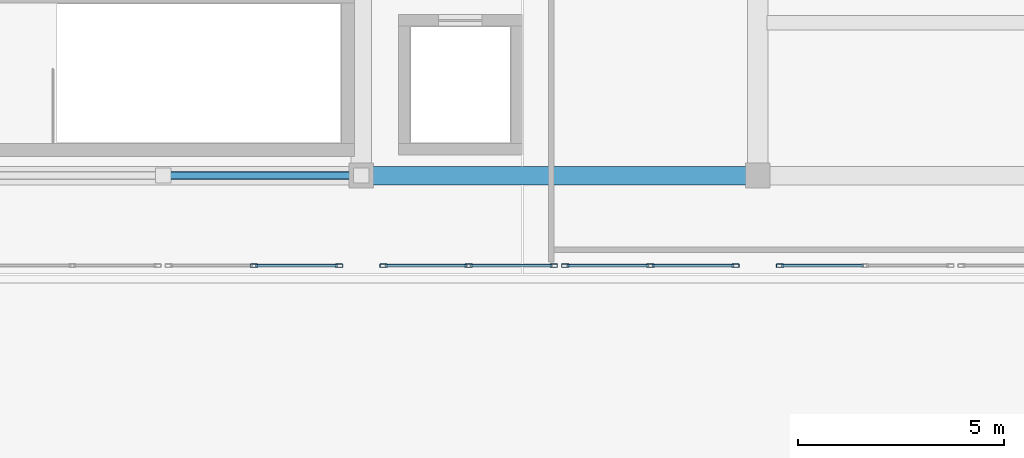
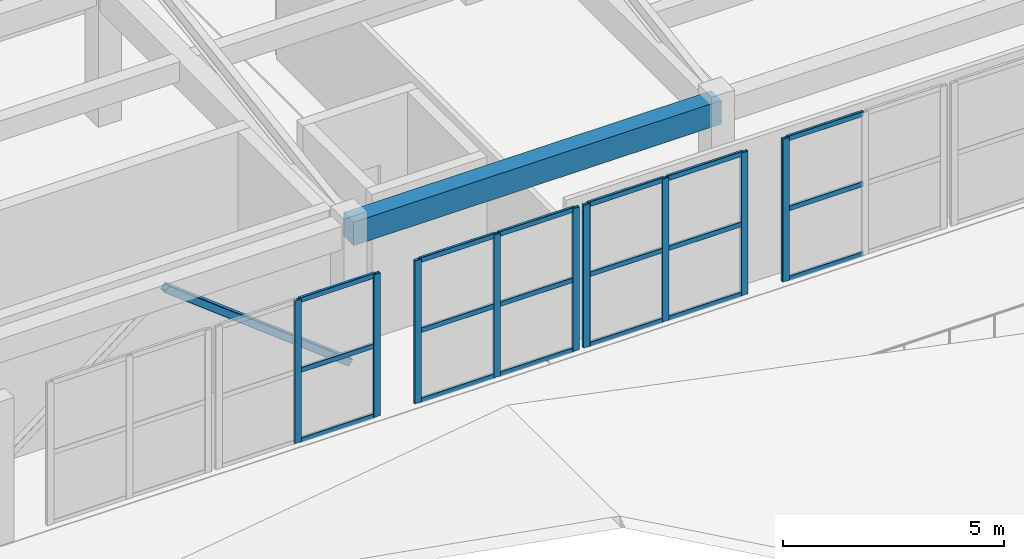
# One storey, part 4 of 29: 28 members, 1 beam, 4 elements without a shape of their own.
"""IFC4 building model written with IfcOpenShell, lengths in metres."""

from ifc_helpers import new_model, si_unit, direction, frame, origin, origin_2d, place, context, subcontext, project, spatial, rectangle, hollow_rectangle, extrude, material, layer, layer_set, material_profile, profile_set, type_object, element, aggregate, save


model = new_model("IFC4")

# Units and contexts
model_context = context("Model", 3, precision=1e-05, world=origin(), true_north=direction((0.0, 1.0)))
body_context = subcontext(model_context, "Body", "Model", "MODEL_VIEW")
ifc_project = project(units=[si_unit("LENGTHUNIT", "METRE"), si_unit("AREAUNIT", "SQUARE_METRE"), si_unit("VOLUMEUNIT", "CUBIC_METRE"), si_unit("PLANEANGLEUNIT", "RADIAN"), si_unit("MASSUNIT", "GRAM", prefix="KILO")], contexts=[model_context])

# Site, building, storey
site_placement = place(None, origin())
site = spatial("IfcSite", under=ifc_project, at=site_placement, CompositionType="ELEMENT")
building_placement = place(site_placement, origin())
building = spatial("IfcBuilding", under=site, at=building_placement, Name="Tarnavel Promenade Courthouse", CompositionType="ELEMENT")
storey_placement = place(building_placement, frame((0.0, 0.0, 22.800048828125)))
storey = spatial("IfcBuildingStorey", under=building, at=storey_placement, Name="L06", CompositionType="ELEMENT", Elevation=22.800048828125)

# Beam
ifc_material_1 = material(Name="Concrete C40/50", Category="concrete")
ifc_material_profile_1 = material_profile(ifc_material_1, rectangle(XDim=0.449951171875, YDim=0.64990234375, at=origin_2d()), Name="RC 450x650")
ifc_profile_set_1 = profile_set([ifc_material_profile_1], Name="Concrete C40/50")
beam_type = type_object("IfcBeamType", Name="Concrete C40/50 BM-RC-450x650 (RC 450x650)", PredefinedType="T_BEAM", material=ifc_profile_set_1)
beam_placement = place(storey_placement, frame((19.199951171875, 74.39990234375, 3.639892578125), z_axis=(1.0, 0.0, 0.0), x_axis=(0.0, 1.0, 0.0)))
element("IfcBeam", 1, at=beam_placement, inside=storey, type_object=beam_type, Name="L06 Primary Longitudinal Beam 2393", PredefinedType="T_BEAM", context=body_context, shape_type="SweptSolid", body=[
    extrude(rectangle(XDim=0.449951171875, YDim=0.64990234375, at=origin_2d()), origin(), (0.0, 0.0, 1.0), 9.60009765625),
])

# Member
ifc_material_2 = material(Name="Steel S355J2", Category="steel")
ifc_material_profile_2 = material_profile(ifc_material_2, hollow_rectangle(XDim=0.199951171875, YDim=0.199951171875, WallThickness=0.012451171875, InnerFilletRadius=0.012451171875, OuterFilletRadius=0.02490234375, at=origin_2d()), Name="SHS 200x200x12.5")
ifc_profile_set_2 = profile_set([ifc_material_profile_2], Name="Steel S355J2")
member_type_1 = type_object("IfcMemberType", Name="Steel S355J2 MEM-BR-SHS200 (SHS 200x200x12.5)", PredefinedType="BRACE", material=ifc_profile_set_2)
member_1_placement = place(storey_placement, frame((19.199951171875, 74.39990234375, 0.0), z_axis=(-0.790829213189, 0.0, 0.612036890691), x_axis=(0.0, -1.0, 0.0)))
element("IfcMember", 2, at=member_1_placement, inside=storey, type_object=member_type_1, Name="L06 V2 Chevron Brace B 034", PredefinedType="BRACE", context=body_context, shape_type="SweptSolid", body=[
    extrude(hollow_rectangle(XDim=0.199951171875, YDim=0.199951171875, WallThickness=0.012451171875, InnerFilletRadius=0.012451171875, OuterFilletRadius=0.02490234375, at=origin_2d()), origin(), (0.0, 0.0, 1.0), 6.069580078125),
])

# Curtain wall, members
ifc_material_3 = material(Name="Thermally Broken Anodised Aluminium Curtain Wall System", Category="aluminium")
ifc_layer = layer(ifc_material_3, 0.195068359375)
ifc_layer_set = layer_set([ifc_layer], Name="Thermally Broken Anodised Aluminium Curtain Wall System")
curtain_wall_type = type_object("IfcCurtainWallType", Name="Thermally Broken Aluminium Triple-Glazed Curtain Wall CW-TER", PredefinedType="NOTDEFINED", material=ifc_layer_set)
curtain_wall_1_placement = place(storey_placement, origin())
curtain_wall_1 = element("IfcCurtainWall", 3, at=curtain_wall_1_placement, inside=storey, type_object=curtain_wall_type, Name="L06 Trial Wing Roof-Garden Glazed Bay 186", PredefinedType="NOTDEFINED")
ifc_material_4 = material(Name="Thermally Broken Anodised Aluminium Frame", Category="aluminium")
ifc_material_profile_3 = material_profile(ifc_material_4, hollow_rectangle(XDim=0.080078125, YDim=0.179931640625, WallThickness=0.0048828125, InnerFilletRadius=0.0048828125, OuterFilletRadius=0.010009765625, at=origin_2d()), Name="CWM 180x80x5")
ifc_profile_set_3 = profile_set([ifc_material_profile_3], Name="Thermally Broken Anodised Aluminium Frame")
member_type_2 = type_object("IfcMemberType", Name="Thermally Broken Anodised Aluminium CWM-155 (CWM 180x80x5)", PredefinedType="MULLION", material=ifc_profile_set_3)
member_2_placement = place(storey_placement, frame((16.60009765625, 72.219970703125, 0.0), z_axis=(0.0, 0.0, 1.0), x_axis=(0.0, 1.0, 0.0)))
member_2 = element("IfcMember", 4, at=member_2_placement, type_object=member_type_2, Name="CW-06 mullion 2", PredefinedType="MULLION", context=body_context, shape_type="SweptSolid", body=[
    extrude(hollow_rectangle(XDim=0.080078125, YDim=0.179931640625, WallThickness=0.0048828125, InnerFilletRadius=0.0048828125, OuterFilletRadius=0.010009765625, at=origin_2d()), origin(), (0.0, 0.0, 1.0), 3.93994140625),
])
member_3_placement = place(storey_placement, frame((18.659912109375, 72.219970703125, 0.0), z_axis=(0.0, 0.0, 1.0), x_axis=(0.0, 1.0, 0.0)))
member_3 = element("IfcMember", 5, at=member_3_placement, type_object=member_type_2, Name="CW-06 mullion 3", PredefinedType="MULLION", context=body_context, shape_type="SweptSolid", body=[
    extrude(hollow_rectangle(XDim=0.080078125, YDim=0.179931640625, WallThickness=0.0048828125, InnerFilletRadius=0.0048828125, OuterFilletRadius=0.010009765625, at=origin_2d()), origin(), (0.0, 0.0, 1.0), 3.93994140625),
])

curtain_wall_2_placement = place(storey_placement, origin())
curtain_wall_2 = element("IfcCurtainWall", 6, at=curtain_wall_2_placement, inside=storey, type_object=curtain_wall_type, Name="L06 Trial Wing Roof-Garden Glazed Bay 187", PredefinedType="NOTDEFINED")
member_4_placement = place(storey_placement, frame((19.739990234375, 72.219970703125, 0.0), z_axis=(0.0, 0.0, 1.0), x_axis=(0.0, 1.0, 0.0)))
member_4 = element("IfcMember", 7, at=member_4_placement, type_object=member_type_2, Name="CW-06 mullion 1", PredefinedType="MULLION", context=body_context, shape_type="SweptSolid", body=[
    extrude(hollow_rectangle(XDim=0.080078125, YDim=0.179931640625, WallThickness=0.0048828125, InnerFilletRadius=0.0048828125, OuterFilletRadius=0.010009765625, at=origin_2d()), origin(), (0.0, 0.0, 1.0), 3.93994140625),
])
member_5_placement = place(storey_placement, frame((21.800048828125, 72.219970703125, 0.0), z_axis=(0.0, 0.0, 1.0), x_axis=(0.0, 1.0, 0.0)))
member_5 = element("IfcMember", 8, at=member_5_placement, type_object=member_type_2, Name="CW-06 mullion 2", PredefinedType="MULLION", context=body_context, shape_type="SweptSolid", body=[
    extrude(hollow_rectangle(XDim=0.080078125, YDim=0.179931640625, WallThickness=0.0048828125, InnerFilletRadius=0.0048828125, OuterFilletRadius=0.010009765625, at=origin_2d()), origin(), (0.0, 0.0, 1.0), 3.93994140625),
])
member_6_placement = place(storey_placement, frame((23.860107421875, 72.219970703125, 0.0), z_axis=(0.0, 0.0, 1.0), x_axis=(0.0, 1.0, 0.0)))
member_6 = element("IfcMember", 9, at=member_6_placement, type_object=member_type_2, Name="CW-06 mullion 3", PredefinedType="MULLION", context=body_context, shape_type="SweptSolid", body=[
    extrude(hollow_rectangle(XDim=0.080078125, YDim=0.179931640625, WallThickness=0.0048828125, InnerFilletRadius=0.0048828125, OuterFilletRadius=0.010009765625, at=origin_2d()), origin(), (0.0, 0.0, 1.0), 3.93994140625),
])

curtain_wall_3_placement = place(storey_placement, origin())
curtain_wall_3 = element("IfcCurtainWall", 10, at=curtain_wall_3_placement, inside=storey, type_object=curtain_wall_type, Name="L06 Trial Wing Roof-Garden Glazed Bay 188", PredefinedType="NOTDEFINED")
member_7_placement = place(storey_placement, frame((24.139892578125, 72.219970703125, 0.0), z_axis=(0.0, 0.0, 1.0), x_axis=(0.0, 1.0, 0.0)))
member_7 = element("IfcMember", 11, at=member_7_placement, type_object=member_type_2, Name="CW-06 mullion 1", PredefinedType="MULLION", context=body_context, shape_type="SweptSolid", body=[
    extrude(hollow_rectangle(XDim=0.080078125, YDim=0.179931640625, WallThickness=0.0048828125, InnerFilletRadius=0.0048828125, OuterFilletRadius=0.010009765625, at=origin_2d()), origin(), (0.0, 0.0, 1.0), 3.93994140625),
])
member_8_placement = place(storey_placement, frame((26.199951171875, 72.219970703125, 0.0), z_axis=(0.0, 0.0, 1.0), x_axis=(0.0, 1.0, 0.0)))
member_8 = element("IfcMember", 12, at=member_8_placement, type_object=member_type_2, Name="CW-06 mullion 2", PredefinedType="MULLION", context=body_context, shape_type="SweptSolid", body=[
    extrude(hollow_rectangle(XDim=0.080078125, YDim=0.179931640625, WallThickness=0.0048828125, InnerFilletRadius=0.0048828125, OuterFilletRadius=0.010009765625, at=origin_2d()), origin(), (0.0, 0.0, 1.0), 3.93994140625),
])
member_9_placement = place(storey_placement, frame((28.260009765625, 72.219970703125, 0.0), z_axis=(0.0, 0.0, 1.0), x_axis=(0.0, 1.0, 0.0)))
member_9 = element("IfcMember", 13, at=member_9_placement, type_object=member_type_2, Name="CW-06 mullion 3", PredefinedType="MULLION", context=body_context, shape_type="SweptSolid", body=[
    extrude(hollow_rectangle(XDim=0.080078125, YDim=0.179931640625, WallThickness=0.0048828125, InnerFilletRadius=0.0048828125, OuterFilletRadius=0.010009765625, at=origin_2d()), origin(), (0.0, 0.0, 1.0), 3.93994140625),
])

# Curtain wall, member
curtain_wall_4_placement = place(storey_placement, origin())
curtain_wall_4 = element("IfcCurtainWall", 14, at=curtain_wall_4_placement, inside=storey, type_object=curtain_wall_type, Name="L06 Trial Wing Roof-Garden Glazed Bay 189", PredefinedType="NOTDEFINED")
member_10_placement = place(storey_placement, frame((29.340087890625, 72.219970703125, 0.0), z_axis=(0.0, 0.0, 1.0), x_axis=(0.0, 1.0, 0.0)))
member_10 = element("IfcMember", 15, at=member_10_placement, type_object=member_type_2, Name="CW-06 mullion 1", PredefinedType="MULLION", context=body_context, shape_type="SweptSolid", body=[
    extrude(hollow_rectangle(XDim=0.080078125, YDim=0.179931640625, WallThickness=0.0048828125, InnerFilletRadius=0.0048828125, OuterFilletRadius=0.010009765625, at=origin_2d()), origin(), (0.0, 0.0, 1.0), 3.93994140625),
])

# Member
ifc_material_profile_4 = material_profile(ifc_material_4, hollow_rectangle(XDim=0.070068359375, YDim=0.139892578125, WallThickness=0.0048828125, InnerFilletRadius=0.0048828125, OuterFilletRadius=0.010009765625, at=origin_2d()), Name="CWT 140x70x5")
ifc_profile_set_4 = profile_set([ifc_material_profile_4], Name="Thermally Broken Anodised Aluminium Frame")
member_type_3 = type_object("IfcMemberType", Name="Thermally Broken Anodised Aluminium CWT-125 (CWT 140x70x5)", PredefinedType="USERDEFINED", material=ifc_profile_set_4)
member_11_placement = place(storey_placement, frame((16.639892578125, 72.219970703125, 0.034912109375), z_axis=(1.0, 0.0, 0.0), x_axis=(0.0, 1.0, 0.0)))
member_11 = element("IfcMember", 16, at=member_11_placement, type_object=member_type_3, Name="CW-06 transom 2.1", ObjectType="TRANSOM", PredefinedType="USERDEFINED", context=body_context, shape_type="SweptSolid", body=[
    extrude(hollow_rectangle(XDim=0.070068359375, YDim=0.139892578125, WallThickness=0.0048828125, InnerFilletRadius=0.0048828125, OuterFilletRadius=0.010009765625, at=origin_2d()), origin(), (0.0, 0.0, 1.0), 1.980224609375),
])

member_12_placement = place(storey_placement, frame((16.639892578125, 72.219970703125, 1.969970703125), z_axis=(1.0, 0.0, 0.0), x_axis=(0.0, 1.0, 0.0)))
member_12 = element("IfcMember", 17, at=member_12_placement, type_object=member_type_3, Name="CW-06 transom 2.2", ObjectType="TRANSOM", PredefinedType="USERDEFINED", context=body_context, shape_type="SweptSolid", body=[
    extrude(hollow_rectangle(XDim=0.070068359375, YDim=0.139892578125, WallThickness=0.0048828125, InnerFilletRadius=0.0048828125, OuterFilletRadius=0.010009765625, at=origin_2d()), origin(), (0.0, 0.0, 1.0), 1.980224609375),
])

member_13_placement = place(storey_placement, frame((16.639892578125, 72.219970703125, 3.905029296875), z_axis=(1.0, 0.0, 0.0), x_axis=(0.0, 1.0, 0.0)))
member_13 = element("IfcMember", 18, at=member_13_placement, type_object=member_type_3, Name="CW-06 transom 2.3", ObjectType="TRANSOM", PredefinedType="USERDEFINED", context=body_context, shape_type="SweptSolid", body=[
    extrude(hollow_rectangle(XDim=0.070068359375, YDim=0.139892578125, WallThickness=0.0048828125, InnerFilletRadius=0.0048828125, OuterFilletRadius=0.010009765625, at=origin_2d()), origin(), (0.0, 0.0, 1.0), 1.980224609375),
])

aggregate(curtain_wall_1, [member_2, member_3, member_11, member_12, member_13])

member_14_placement = place(storey_placement, frame((19.780029296875, 72.219970703125, 0.034912109375), z_axis=(1.0, 0.0, 0.0), x_axis=(0.0, 1.0, 0.0)))
member_14 = element("IfcMember", 19, at=member_14_placement, type_object=member_type_3, Name="CW-06 transom 1.1", ObjectType="TRANSOM", PredefinedType="USERDEFINED", context=body_context, shape_type="SweptSolid", body=[
    extrude(hollow_rectangle(XDim=0.070068359375, YDim=0.139892578125, WallThickness=0.0048828125, InnerFilletRadius=0.0048828125, OuterFilletRadius=0.010009765625, at=origin_2d()), origin(), (0.0, 0.0, 1.0), 1.97998046875),
])

member_15_placement = place(storey_placement, frame((19.780029296875, 72.219970703125, 1.969970703125), z_axis=(1.0, 0.0, 0.0), x_axis=(0.0, 1.0, 0.0)))
member_15 = element("IfcMember", 20, at=member_15_placement, type_object=member_type_3, Name="CW-06 transom 1.2", ObjectType="TRANSOM", PredefinedType="USERDEFINED", context=body_context, shape_type="SweptSolid", body=[
    extrude(hollow_rectangle(XDim=0.070068359375, YDim=0.139892578125, WallThickness=0.0048828125, InnerFilletRadius=0.0048828125, OuterFilletRadius=0.010009765625, at=origin_2d()), origin(), (0.0, 0.0, 1.0), 1.97998046875),
])

member_16_placement = place(storey_placement, frame((19.780029296875, 72.219970703125, 3.905029296875), z_axis=(1.0, 0.0, 0.0), x_axis=(0.0, 1.0, 0.0)))
member_16 = element("IfcMember", 21, at=member_16_placement, type_object=member_type_3, Name="CW-06 transom 1.3", ObjectType="TRANSOM", PredefinedType="USERDEFINED", context=body_context, shape_type="SweptSolid", body=[
    extrude(hollow_rectangle(XDim=0.070068359375, YDim=0.139892578125, WallThickness=0.0048828125, InnerFilletRadius=0.0048828125, OuterFilletRadius=0.010009765625, at=origin_2d()), origin(), (0.0, 0.0, 1.0), 1.97998046875),
])

member_17_placement = place(storey_placement, frame((21.840087890625, 72.219970703125, 0.034912109375), z_axis=(1.0, 0.0, 0.0), x_axis=(0.0, 1.0, 0.0)))
member_17 = element("IfcMember", 22, at=member_17_placement, type_object=member_type_3, Name="CW-06 transom 2.1", ObjectType="TRANSOM", PredefinedType="USERDEFINED", context=body_context, shape_type="SweptSolid", body=[
    extrude(hollow_rectangle(XDim=0.070068359375, YDim=0.139892578125, WallThickness=0.0048828125, InnerFilletRadius=0.0048828125, OuterFilletRadius=0.010009765625, at=origin_2d()), origin(), (0.0, 0.0, 1.0), 1.97998046875),
])

member_18_placement = place(storey_placement, frame((21.840087890625, 72.219970703125, 1.969970703125), z_axis=(1.0, 0.0, 0.0), x_axis=(0.0, 1.0, 0.0)))
member_18 = element("IfcMember", 23, at=member_18_placement, type_object=member_type_3, Name="CW-06 transom 2.2", ObjectType="TRANSOM", PredefinedType="USERDEFINED", context=body_context, shape_type="SweptSolid", body=[
    extrude(hollow_rectangle(XDim=0.070068359375, YDim=0.139892578125, WallThickness=0.0048828125, InnerFilletRadius=0.0048828125, OuterFilletRadius=0.010009765625, at=origin_2d()), origin(), (0.0, 0.0, 1.0), 1.97998046875),
])

member_19_placement = place(storey_placement, frame((21.840087890625, 72.219970703125, 3.905029296875), z_axis=(1.0, 0.0, 0.0), x_axis=(0.0, 1.0, 0.0)))
member_19 = element("IfcMember", 24, at=member_19_placement, type_object=member_type_3, Name="CW-06 transom 2.3", ObjectType="TRANSOM", PredefinedType="USERDEFINED", context=body_context, shape_type="SweptSolid", body=[
    extrude(hollow_rectangle(XDim=0.070068359375, YDim=0.139892578125, WallThickness=0.0048828125, InnerFilletRadius=0.0048828125, OuterFilletRadius=0.010009765625, at=origin_2d()), origin(), (0.0, 0.0, 1.0), 1.97998046875),
])

aggregate(curtain_wall_2, [member_4, member_5, member_6, member_14, member_15, member_16, member_17, member_18, member_19])

member_20_placement = place(storey_placement, frame((24.179931640625, 72.219970703125, 0.034912109375), z_axis=(1.0, 0.0, 0.0), x_axis=(0.0, 1.0, 0.0)))
member_20 = element("IfcMember", 25, at=member_20_placement, type_object=member_type_3, Name="CW-06 transom 1.1", ObjectType="TRANSOM", PredefinedType="USERDEFINED", context=body_context, shape_type="SweptSolid", body=[
    extrude(hollow_rectangle(XDim=0.070068359375, YDim=0.139892578125, WallThickness=0.0048828125, InnerFilletRadius=0.0048828125, OuterFilletRadius=0.010009765625, at=origin_2d()), origin(), (0.0, 0.0, 1.0), 1.97998046875),
])

member_21_placement = place(storey_placement, frame((24.179931640625, 72.219970703125, 1.969970703125), z_axis=(1.0, 0.0, 0.0), x_axis=(0.0, 1.0, 0.0)))
member_21 = element("IfcMember", 26, at=member_21_placement, type_object=member_type_3, Name="CW-06 transom 1.2", ObjectType="TRANSOM", PredefinedType="USERDEFINED", context=body_context, shape_type="SweptSolid", body=[
    extrude(hollow_rectangle(XDim=0.070068359375, YDim=0.139892578125, WallThickness=0.0048828125, InnerFilletRadius=0.0048828125, OuterFilletRadius=0.010009765625, at=origin_2d()), origin(), (0.0, 0.0, 1.0), 1.97998046875),
])

member_22_placement = place(storey_placement, frame((24.179931640625, 72.219970703125, 3.905029296875), z_axis=(1.0, 0.0, 0.0), x_axis=(0.0, 1.0, 0.0)))
member_22 = element("IfcMember", 27, at=member_22_placement, type_object=member_type_3, Name="CW-06 transom 1.3", ObjectType="TRANSOM", PredefinedType="USERDEFINED", context=body_context, shape_type="SweptSolid", body=[
    extrude(hollow_rectangle(XDim=0.070068359375, YDim=0.139892578125, WallThickness=0.0048828125, InnerFilletRadius=0.0048828125, OuterFilletRadius=0.010009765625, at=origin_2d()), origin(), (0.0, 0.0, 1.0), 1.97998046875),
])

member_23_placement = place(storey_placement, frame((26.239990234375, 72.219970703125, 0.034912109375), z_axis=(1.0, 0.0, 0.0), x_axis=(0.0, 1.0, 0.0)))
member_23 = element("IfcMember", 28, at=member_23_placement, type_object=member_type_3, Name="CW-06 transom 2.1", ObjectType="TRANSOM", PredefinedType="USERDEFINED", context=body_context, shape_type="SweptSolid", body=[
    extrude(hollow_rectangle(XDim=0.070068359375, YDim=0.139892578125, WallThickness=0.0048828125, InnerFilletRadius=0.0048828125, OuterFilletRadius=0.010009765625, at=origin_2d()), origin(), (0.0, 0.0, 1.0), 1.97998046875),
])

member_24_placement = place(storey_placement, frame((26.239990234375, 72.219970703125, 1.969970703125), z_axis=(1.0, 0.0, 0.0), x_axis=(0.0, 1.0, 0.0)))
member_24 = element("IfcMember", 29, at=member_24_placement, type_object=member_type_3, Name="CW-06 transom 2.2", ObjectType="TRANSOM", PredefinedType="USERDEFINED", context=body_context, shape_type="SweptSolid", body=[
    extrude(hollow_rectangle(XDim=0.070068359375, YDim=0.139892578125, WallThickness=0.0048828125, InnerFilletRadius=0.0048828125, OuterFilletRadius=0.010009765625, at=origin_2d()), origin(), (0.0, 0.0, 1.0), 1.97998046875),
])

member_25_placement = place(storey_placement, frame((26.239990234375, 72.219970703125, 3.905029296875), z_axis=(1.0, 0.0, 0.0), x_axis=(0.0, 1.0, 0.0)))
member_25 = element("IfcMember", 30, at=member_25_placement, type_object=member_type_3, Name="CW-06 transom 2.3", ObjectType="TRANSOM", PredefinedType="USERDEFINED", context=body_context, shape_type="SweptSolid", body=[
    extrude(hollow_rectangle(XDim=0.070068359375, YDim=0.139892578125, WallThickness=0.0048828125, InnerFilletRadius=0.0048828125, OuterFilletRadius=0.010009765625, at=origin_2d()), origin(), (0.0, 0.0, 1.0), 1.97998046875),
])

aggregate(curtain_wall_3, [member_7, member_8, member_9, member_20, member_21, member_22, member_23, member_24, member_25])

member_26_placement = place(storey_placement, frame((29.3798828125, 72.219970703125, 0.034912109375), z_axis=(1.0, 0.0, 0.0), x_axis=(0.0, 1.0, 0.0)))
member_26 = element("IfcMember", 31, at=member_26_placement, type_object=member_type_3, Name="CW-06 transom 1.1", ObjectType="TRANSOM", PredefinedType="USERDEFINED", context=body_context, shape_type="SweptSolid", body=[
    extrude(hollow_rectangle(XDim=0.070068359375, YDim=0.139892578125, WallThickness=0.0048828125, InnerFilletRadius=0.0048828125, OuterFilletRadius=0.010009765625, at=origin_2d()), origin(), (0.0, 0.0, 1.0), 1.980224609375),
])

member_27_placement = place(storey_placement, frame((29.3798828125, 72.219970703125, 1.969970703125), z_axis=(1.0, 0.0, 0.0), x_axis=(0.0, 1.0, 0.0)))
member_27 = element("IfcMember", 32, at=member_27_placement, type_object=member_type_3, Name="CW-06 transom 1.2", ObjectType="TRANSOM", PredefinedType="USERDEFINED", context=body_context, shape_type="SweptSolid", body=[
    extrude(hollow_rectangle(XDim=0.070068359375, YDim=0.139892578125, WallThickness=0.0048828125, InnerFilletRadius=0.0048828125, OuterFilletRadius=0.010009765625, at=origin_2d()), origin(), (0.0, 0.0, 1.0), 1.980224609375),
])

member_28_placement = place(storey_placement, frame((29.3798828125, 72.219970703125, 3.905029296875), z_axis=(1.0, 0.0, 0.0), x_axis=(0.0, 1.0, 0.0)))
member_28 = element("IfcMember", 33, at=member_28_placement, type_object=member_type_3, Name="CW-06 transom 1.3", ObjectType="TRANSOM", PredefinedType="USERDEFINED", context=body_context, shape_type="SweptSolid", body=[
    extrude(hollow_rectangle(XDim=0.070068359375, YDim=0.139892578125, WallThickness=0.0048828125, InnerFilletRadius=0.0048828125, OuterFilletRadius=0.010009765625, at=origin_2d()), origin(), (0.0, 0.0, 1.0), 1.980224609375),
])

aggregate(curtain_wall_4, [member_10, member_26, member_27, member_28])

save(model, "model.ifc")
